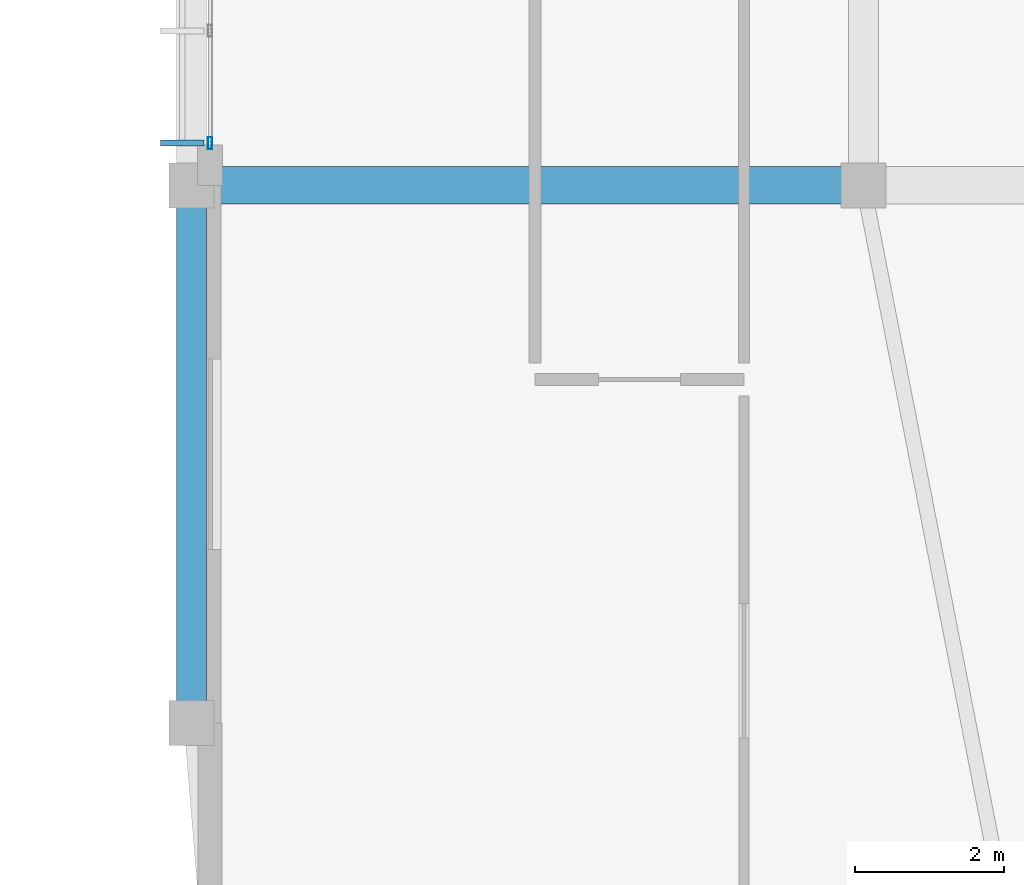
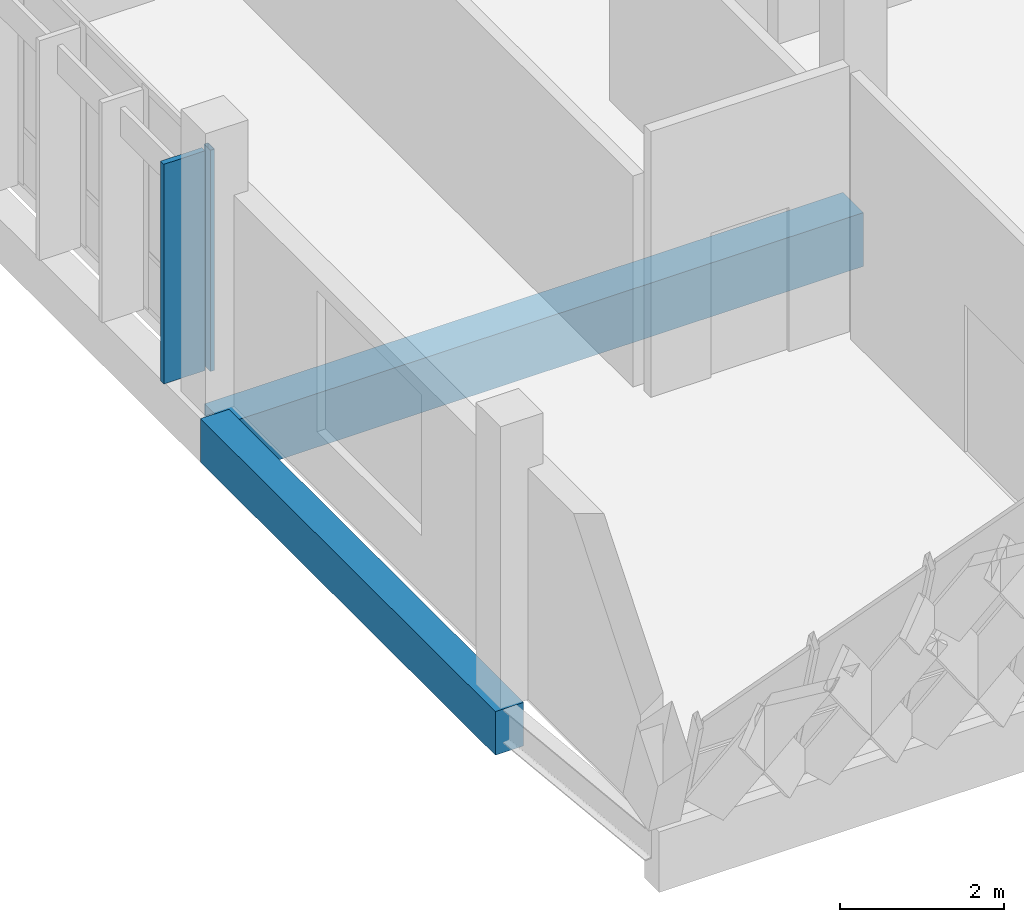
# One storey, part 17 of 107: 2 beams, 2 members, 1 element without a shape of its own.
"""IFC4 building model written with IfcOpenShell, lengths in metres."""

from ifc_helpers import new_model, si_unit, direction, frame, origin, origin_2d, place, context, subcontext, project, spatial, rectangle, hollow_rectangle, extrude, material, material_profile, profile_set, type_object, element, aggregate, save


model = new_model("IFC4")

# Units and contexts
model_context = context("Model", 3, precision=1e-05, world=origin(), true_north=direction((0.0, 1.0)))
body_context = subcontext(model_context, "Body", "Model", "MODEL_VIEW")
ifc_project = project(units=[si_unit("LENGTHUNIT", "METRE"), si_unit("AREAUNIT", "SQUARE_METRE"), si_unit("VOLUMEUNIT", "CUBIC_METRE"), si_unit("PLANEANGLEUNIT", "RADIAN"), si_unit("MASSUNIT", "GRAM", prefix="KILO")], contexts=[model_context])

# Site, building, storey
site_placement = place(None, origin())
site = spatial("IfcSite", under=ifc_project, at=site_placement, CompositionType="ELEMENT")
building_placement = place(site_placement, origin())
building = spatial("IfcBuilding", under=site, at=building_placement, Name="Chiffa Square Polytechnic", CompositionType="ELEMENT")
storey_placement = place(building_placement, frame((0.0, 0.0, 13.800048828125)))
storey = spatial("IfcBuildingStorey", under=building, at=storey_placement, Name="L03", CompositionType="ELEMENT", Elevation=13.800048828125)

# Beams
ifc_material_1 = material(Name="Concrete C35/45", Category="concrete")
ifc_material_profile_1 = material_profile(ifc_material_1, rectangle(XDim=0.39990234375, YDim=0.64990234375, at=origin_2d()), Name="RC 400x650")
ifc_profile_set_1 = profile_set([ifc_material_profile_1], Name="Concrete C35/45")
beam_type_1 = type_object("IfcBeamType", Name="BM-RC-400X650", PredefinedType="BEAM", material=ifc_profile_set_1)
beam_1_placement = place(storey_placement, frame((112.199951171875, 7.199951171875, -0.5849609375), z_axis=(0.0, 1.0, 0.0), x_axis=(-1.0, 0.0, 0.0)))
element("IfcBeam", 1, at=beam_1_placement, inside=storey, type_object=beam_type_1, Name="Primary floor girder BM-V1-L03-Y-1122-0072", PredefinedType="BEAM", context=body_context, shape_type="SweptSolid", body=[
    extrude(rectangle(XDim=0.39990234375, YDim=0.64990234375, at=origin_2d()), origin(), (0.0, 0.0, 1.0), 7.199951171875),
])
ifc_material_2 = material(Name="Concrete C40/50", Category="concrete")
ifc_material_profile_2 = material_profile(ifc_material_2, rectangle(XDim=0.5, YDim=0.800048828125, at=origin_2d()), Name="RC 500x800")
ifc_profile_set_2 = profile_set([ifc_material_profile_2], Name="Concrete C40/50")
beam_type_2 = type_object("IfcBeamType", Name="BM-RC-500X800", PredefinedType="BEAM", material=ifc_profile_set_2)
beam_2_placement = place(storey_placement, frame((112.199951171875, 14.39990234375, -0.66015625), z_axis=(1.0, 0.0, 0.0), x_axis=(0.0, 1.0, 0.0)))
element("IfcBeam", 2, at=beam_2_placement, inside=storey, type_object=beam_type_2, Name="Primary floor girder BM-V1-L03-X-1122-0144", PredefinedType="BEAM", context=body_context, shape_type="SweptSolid", body=[
    extrude(rectangle(XDim=0.5, YDim=0.800048828125, at=origin_2d()), origin(), (0.0, 0.0, 1.0), 9.0),
])

# Curtain wall, members
ifc_material_3 = material(Name="Aluminium EN AW-6060 T66 and glulam shading", Category="wood")
curtain_wall_type = type_object("IfcCurtainWallType", Name="CW-VERT-540X440", PredefinedType="USERDEFINED", material=ifc_material_3)
curtain_wall_placement = place(storey_placement, origin())
curtain_wall = element("IfcCurtainWall", 3, at=curtain_wall_placement, inside=storey, type_object=curtain_wall_type, Name="Curtain wall CW-V1-L03-135", ObjectType="CURTAIN WALL", PredefinedType="USERDEFINED")
ifc_material_4 = material(Name="Aluminium EN AW-6060 T66", Category="aluminium")
ifc_material_profile_3 = material_profile(ifc_material_4, hollow_rectangle(XDim=0.06005859375, YDim=0.159912109375, WallThickness=0.00390625, at=origin_2d()), Name="ALU 60x160x4")
ifc_profile_set_3 = profile_set([ifc_material_profile_3], Name="Aluminium EN AW-6060 T66")
member_type_1 = type_object("IfcMemberType", Name="CWM-ALU-65X150", PredefinedType="MULLION", material=ifc_profile_set_3)
member_1_placement = place(storey_placement, frame((112.449951171875, 14.965087890625, 0.0), z_axis=(0.0, 0.0, 1.0), x_axis=(1.0, 0.0, 0.0)))
member_1 = element("IfcMember", 4, at=member_1_placement, type_object=member_type_1, Name="Curtain wall mullion CW-V1-L03-135-M04", PredefinedType="MULLION", context=body_context, shape_type="SweptSolid", body=[
    extrude(hollow_rectangle(XDim=0.06005859375, YDim=0.159912109375, WallThickness=0.00390625, at=origin_2d()), origin(), (0.0, 0.0, 1.0), 3.294921875),
])
ifc_material_5 = material(Name="Glulam GL28h", Category="wood")
ifc_material_profile_4 = material_profile(ifc_material_5, rectangle(XDim=0.080078125, YDim=0.580078125, at=origin_2d()), Name="GL28h 80x580")
ifc_profile_set_4 = profile_set([ifc_material_profile_4], Name="Glulam GL28h")
member_type_2 = type_object("IfcMemberType", Name="CWM-GL-80X580", PredefinedType="MULLION", material=ifc_profile_set_4)
member_2_placement = place(storey_placement, frame((112.077880859375, 14.965087890625, 0.010009765625), z_axis=(0.0, 0.0, 1.0), x_axis=(0.0, -1.0, 0.0)))
member_2 = element("IfcMember", 5, at=member_2_placement, type_object=member_type_2, Name="Exterior glulam solar fin CW-V1-L03-135-FN04", PredefinedType="MULLION", context=body_context, shape_type="SweptSolid", body=[
    extrude(rectangle(XDim=0.080078125, YDim=0.580078125, at=origin_2d()), origin(), (0.0, 0.0, 1.0), 3.27490234375),
])
aggregate(curtain_wall, [member_1, member_2])

save(model, "model.ifc")
